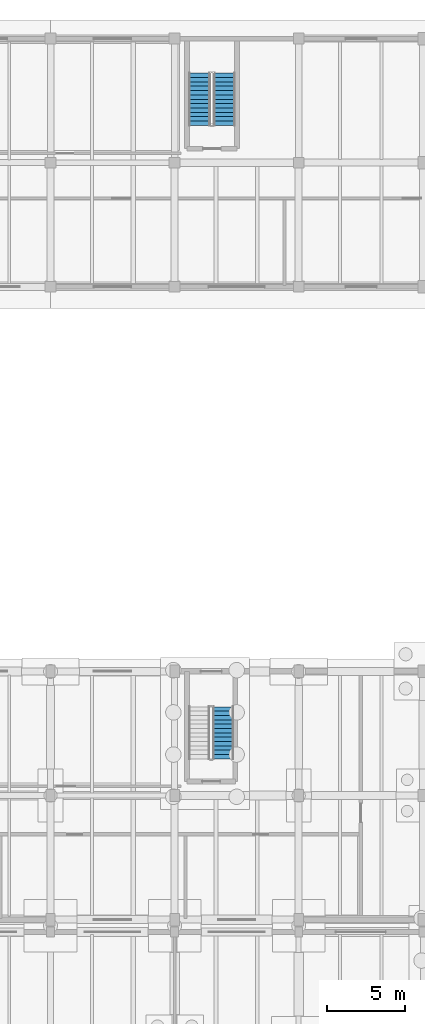
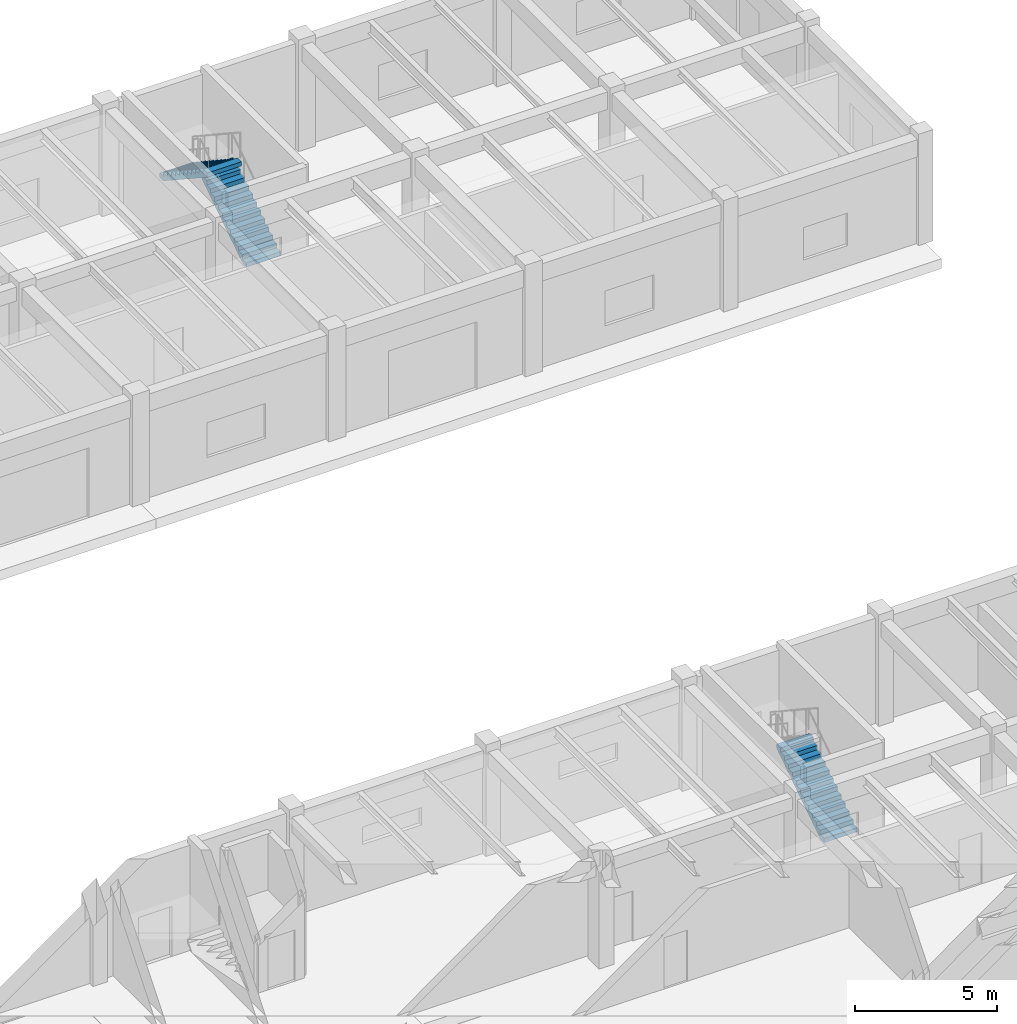
# One storey, part 46 of 64: 3 stair flights, 2 elements without a shape of their own.
"""IFC4 building model written with IfcOpenShell, lengths in metres."""

from ifc_helpers import new_model, si_unit, direction, frame, origin, place, context, subcontext, project, spatial, polyline, outline, extrude, material, type_object, element, aggregate, save


model = new_model("IFC4")

# Units and contexts
model_context = context("Model", 3, precision=1e-05, world=origin(), true_north=direction((0.0, 1.0)))
body_context = subcontext(model_context, "Body", "Model", "MODEL_VIEW")
ifc_project = project(units=[si_unit("LENGTHUNIT", "METRE"), si_unit("AREAUNIT", "SQUARE_METRE"), si_unit("VOLUMEUNIT", "CUBIC_METRE"), si_unit("PLANEANGLEUNIT", "RADIAN"), si_unit("MASSUNIT", "GRAM", prefix="KILO")], contexts=[model_context])

# Site, building, storey
site_placement = place(None, origin())
site = spatial("IfcSite", under=ifc_project, at=site_placement, CompositionType="ELEMENT")
building_placement = place(site_placement, origin())
building = spatial("IfcBuilding", under=site, at=building_placement, Name="Tlaxcora Railside Police Headquarters", CompositionType="ELEMENT")
storey_placement = place(building_placement, origin())
storey = spatial("IfcBuildingStorey", under=building, at=storey_placement, Name="L00", CompositionType="ELEMENT", Elevation=0.0)

# Stair, stair flight
ifc_material = material(Name="Concrete C40/50", Category="concrete")
stair_type_1 = type_object("IfcStairType", Name="Half-Turn Dog-Leg Stair ST-42", PredefinedType="HALF_TURN_STAIR", material=ifc_material)
stair_1_placement = place(storey_placement, origin())
stair_1 = element("IfcStair", 1, at=stair_1_placement, inside=storey, type_object=stair_type_1, Name="L00 ST11", PredefinedType="HALF_TURN_STAIR")
stair_flight_type_1 = type_object("IfcStairFlightType", Name="Straight Stair Flight SF-37", PredefinedType="STRAIGHT", material=ifc_material)
stair_flight_1_placement = place(storey_placement, frame((137.93505859375, 46.360107421875, 0.0), z_axis=(0.0, 0.0, 1.0), x_axis=(0.0, 1.0, 0.0)))
stair_flight_1 = element("IfcStairFlight", 2, at=stair_flight_1_placement, type_object=stair_flight_type_1, Name="ST11 flight 1", NumberOfRisers=13, NumberOfTreads=12, PredefinedType="STRAIGHT", RiserHeight=0.184615385, TreadLength=0.28, context=body_context, shape_type="SweptSolid", body=[
    extrude(outline(polyline([(0.0, 0.0), (0.0, 0.1845703125), (0.280029296875, 0.1845703125), (0.280029296875, 0.369140625), (0.56005859375, 0.369140625), (0.56005859375, 0.553955078125), (0.840087890625, 0.553955078125), (0.840087890625, 0.738525390625), (1.1201171875, 0.738525390625), (1.1201171875, 0.923095703125), (1.39990234375, 0.923095703125), (1.39990234375, 1.107666015625), (1.679931640625, 1.107666015625), (1.679931640625, 1.292236328125), (1.9599609375, 1.292236328125), (1.9599609375, 1.476806640625), (2.239990234375, 1.476806640625), (2.239990234375, 1.66162109375), (2.52001953125, 1.66162109375), (2.52001953125, 1.84619140625), (2.800048828125, 1.84619140625), (2.800048828125, 2.03076171875), (3.080078125, 2.03076171875), (3.080078125, 2.21533203125), (3.360107421875, 2.21533203125), (3.360107421875, 2.39990234375), (3.360107421875, 2.035888671875), (0.272216796875, 0.0), (0.0, 0.0)])), frame((0.0, 0.675048828125, 0.0), z_axis=(0.0, -1.0, 0.0), x_axis=(1.0, 0.0, 0.0)), (0.0, 0.0, 1.0), 1.35009765625),
])
aggregate(stair_1, [stair_flight_1])

# Stair, stair flights
stair_type_2 = type_object("IfcStairType", Name="Half-Turn Dog-Leg Stair ST-67", PredefinedType="HALF_TURN_STAIR", material=ifc_material)
stair_2_placement = place(storey_placement, origin())
stair_2 = element("IfcStair", 3, at=stair_2_placement, inside=storey, type_object=stair_type_2, Name="L00 ST8", PredefinedType="HALF_TURN_STAIR")
stair_flight_type_2 = type_object("IfcStairFlightType", Name="Straight Stair Flight SF-62", PredefinedType="STRAIGHT", material=ifc_material)
stair_flight_2_placement = place(storey_placement, frame((138.010009765625, 87.2099609375, 0.0), z_axis=(0.0, 0.0, 1.0), x_axis=(0.0, 1.0, 0.0)))
stair_flight_2 = element("IfcStairFlight", 4, at=stair_flight_2_placement, type_object=stair_flight_type_2, Name="ST8 flight 1", NumberOfRisers=13, NumberOfTreads=12, PredefinedType="STRAIGHT", RiserHeight=0.184615385, TreadLength=0.28, context=body_context, shape_type="SweptSolid", body=[
    extrude(outline(polyline([(0.0, 0.0), (0.0, 0.1845703125), (0.280029296875, 0.1845703125), (0.280029296875, 0.369140625), (0.56005859375, 0.369140625), (0.56005859375, 0.553955078125), (0.840087890625, 0.553955078125), (0.840087890625, 0.738525390625), (1.1201171875, 0.738525390625), (1.1201171875, 0.923095703125), (1.39990234375, 0.923095703125), (1.39990234375, 1.107666015625), (1.679931640625, 1.107666015625), (1.679931640625, 1.292236328125), (1.9599609375, 1.292236328125), (1.9599609375, 1.476806640625), (2.239990234375, 1.476806640625), (2.239990234375, 1.66162109375), (2.52001953125, 1.66162109375), (2.52001953125, 1.84619140625), (2.800048828125, 1.84619140625), (2.800048828125, 2.03076171875), (3.080078125, 2.03076171875), (3.080078125, 2.21533203125), (3.360107421875, 2.21533203125), (3.360107421875, 2.39990234375), (3.360107421875, 2.035888671875), (0.272216796875, 0.0), (0.0, 0.0)])), frame((0.0, 0.699951171875, 0.0), z_axis=(0.0, -1.0, 0.0), x_axis=(1.0, 0.0, 0.0)), (0.0, 0.0, 1.0), 1.39990234375),
])
stair_flight_3_placement = place(storey_placement, frame((136.409912109375, 90.570068359375, 2.39990234375), z_axis=(0.0, 0.0, 1.0), x_axis=(0.0, -1.0, 0.0)))
stair_flight_3 = element("IfcStairFlight", 5, at=stair_flight_3_placement, type_object=stair_flight_type_2, Name="ST8 flight 2", NumberOfRisers=13, NumberOfTreads=12, PredefinedType="STRAIGHT", RiserHeight=0.184615385, TreadLength=0.28, context=body_context, shape_type="SweptSolid", body=[
    extrude(outline(polyline([(0.0, 0.0), (0.0, 0.1845703125), (0.280029296875, 0.1845703125), (0.280029296875, 0.369140625), (0.56005859375, 0.369140625), (0.56005859375, 0.553955078125), (0.840087890625, 0.553955078125), (0.840087890625, 0.738525390625), (1.1201171875, 0.738525390625), (1.1201171875, 0.923095703125), (1.39990234375, 0.923095703125), (1.39990234375, 1.107666015625), (1.679931640625, 1.107666015625), (1.679931640625, 1.292236328125), (1.9599609375, 1.292236328125), (1.9599609375, 1.476806640625), (2.239990234375, 1.476806640625), (2.239990234375, 1.66162109375), (2.52001953125, 1.66162109375), (2.52001953125, 1.84619140625), (2.800048828125, 1.84619140625), (2.800048828125, 2.03076171875), (3.080078125, 2.03076171875), (3.080078125, 2.21533203125), (3.360107421875, 2.21533203125), (3.360107421875, 2.39990234375), (3.360107421875, 2.035888671875), (0.272216796875, 0.0), (0.0, 0.0)])), frame((0.0, 0.699951171875, 0.0), z_axis=(0.0, -1.0, 0.0), x_axis=(1.0, 0.0, 0.0)), (0.0, 0.0, 1.0), 1.39990234375),
])
aggregate(stair_2, [stair_flight_2, stair_flight_3])

save(model, "model.ifc")
